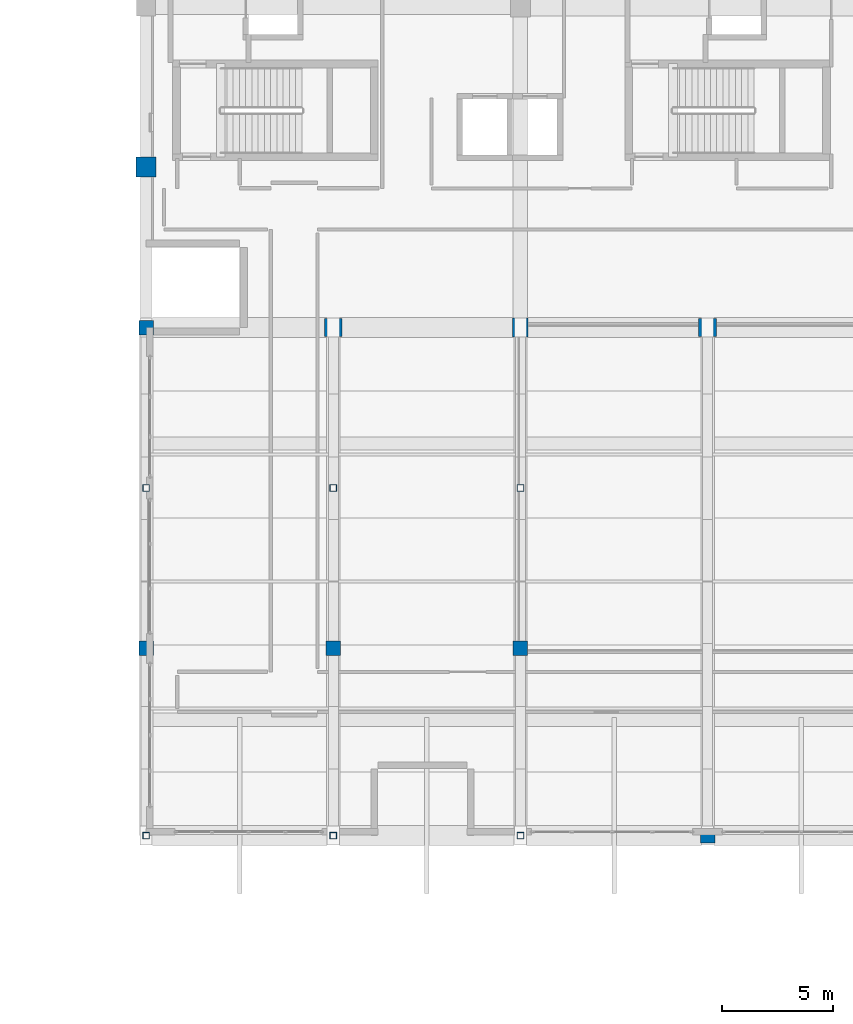
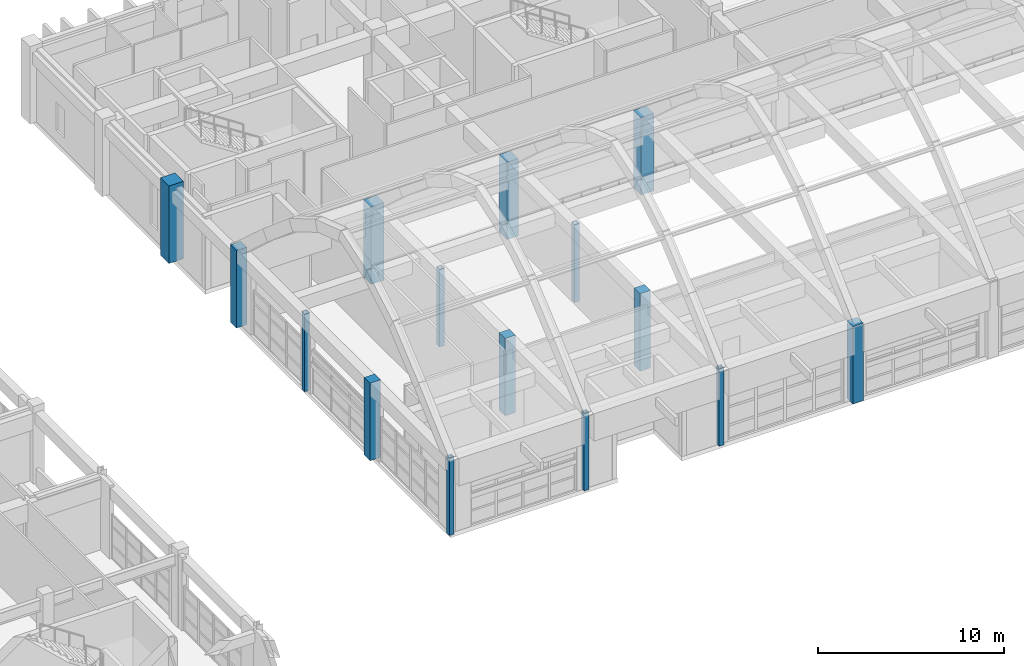
# One storey, part 6 of 103: 15 columns.
"""IFC4 building model written with IfcOpenShell, lengths in metres."""

from ifc_helpers import new_model, si_unit, direction, frame, origin, origin_2d, place, context, subcontext, project, spatial, rectangle, hollow_rectangle, extrude, material, material_profile, profile_set, type_object, element, save


model = new_model("IFC4")

# Units and contexts
model_context = context("Model", 3, precision=1e-05, world=origin(), true_north=direction((0.0, 1.0)))
body_context = subcontext(model_context, "Body", "Model", "MODEL_VIEW")
ifc_project = project(units=[si_unit("LENGTHUNIT", "METRE"), si_unit("AREAUNIT", "SQUARE_METRE"), si_unit("VOLUMEUNIT", "CUBIC_METRE"), si_unit("PLANEANGLEUNIT", "RADIAN"), si_unit("MASSUNIT", "GRAM", prefix="KILO")], contexts=[model_context])

# Site, building, storey
site_placement = place(None, origin())
site = spatial("IfcSite", under=ifc_project, at=site_placement, CompositionType="ELEMENT")
building_placement = place(site_placement, origin())
building = spatial("IfcBuilding", under=site, at=building_placement, Name="Quendrovan Civic Courthouse", CompositionType="ELEMENT")
storey_placement = place(building_placement, frame((0.0, 0.0, 15.300048828125)))
storey = spatial("IfcBuildingStorey", under=building, at=storey_placement, Name="L04", CompositionType="ELEMENT", Elevation=15.300048828125)

# Columns
ifc_material_1 = material(Name="Concrete C40/50", Category="concrete")
ifc_material_profile_1 = material_profile(ifc_material_1, rectangle(XDim=0.699951171875, YDim=0.85009765625, at=origin_2d()), Name="RC-COL-700x850")
ifc_profile_set_1 = profile_set([ifc_material_profile_1], Name="Concrete C40/50")
column_type_1 = type_object("IfcColumnType", Name="COL-RC-700x850", PredefinedType="COLUMN", material=ifc_profile_set_1)
column_1_placement = place(storey_placement, frame((50.39990234375, 87.60009765625, 0.0), z_axis=(0.0, 0.0, 1.0), x_axis=(1.0, 0.0, 0.0)))
element("IfcColumn", 1, at=column_1_placement, inside=storey, type_object=column_type_1, Name="L04 Column 7-M", PredefinedType="COLUMN", context=body_context, shape_type="SweptSolid", body=[
    extrude(rectangle(XDim=0.699951171875, YDim=0.85009765625, at=origin_2d()), origin(), (0.0, 0.0, 1.0), 5.099853515625),
])
ifc_material_2 = material(Name="Concrete C45/55", Category="concrete")
ifc_material_profile_2 = material_profile(ifc_material_2, rectangle(XDim=0.64990234375, YDim=0.64990234375, at=origin_2d()), Name="RC-COL-650x650")
ifc_profile_set_2 = profile_set([ifc_material_profile_2], Name="Concrete C45/55")
column_type_2 = type_object("IfcColumnType", Name="COL-RC650", PredefinedType="COLUMN", material=ifc_profile_set_2)
for number, where, z_axis, x_axis, name in (
    (2, (33.60009765625, 73.199951171875, 0.0), (0.0, 0.0, 1.0), (1.0, 0.0, 0.0), "L04 Column 5-K"),
    (3, (33.60009765625, 87.60009765625, 0.0), (0.0, 0.0, 1.0), (1.0, 0.0, 0.0), "L04 Column 5-M"),
    (4, (42.0, 73.199951171875, 0.0), (0.0, 0.0, 1.0), (1.0, 0.0, 0.0), "L04 Column 6-K"),
    (5, (50.39990234375, 73.199951171875, 0.0), (0.0, 0.0, 1.0), (1.0, 0.0, 0.0), "L04 Column 7-K"),
    (6, (58.800048828125, 64.800048828125, 0.0), (0.0, 0.0, 1.0), (1.0, 0.0, 0.0), "L04 Column 8-J"),
):
    element("IfcColumn", number, at=place(storey_placement, frame(where, z_axis=z_axis, x_axis=x_axis)), inside=storey, type_object=column_type_2, Name=name, PredefinedType="COLUMN", context=body_context, shape_type="SweptSolid", body=[
        extrude(rectangle(XDim=0.64990234375, YDim=0.64990234375, at=origin_2d()), origin(), (0.0, 0.0, 1.0), 5.099853515625),
    ])
ifc_material_profile_3 = material_profile(ifc_material_2, rectangle(XDim=0.800048828125, YDim=0.800048828125, at=origin_2d()), Name="RC-COL-800x800")
ifc_profile_set_3 = profile_set([ifc_material_profile_3], Name="Concrete C45/55")
column_type_3 = type_object("IfcColumnType", Name="COL-RC800", PredefinedType="COLUMN", material=ifc_profile_set_3)
for number, where, z_axis, x_axis, name in (
    (7, (42.0, 87.60009765625, 0.0), (0.0, 0.0, 1.0), (1.0, 0.0, 0.0), "L04 Column 6-M"),
    (8, (58.800048828125, 87.60009765625, 0.0), (0.0, 0.0, 1.0), (1.0, 0.0, 0.0), "L04 Column 8-M"),
):
    element("IfcColumn", number, at=place(storey_placement, frame(where, z_axis=z_axis, x_axis=x_axis)), inside=storey, type_object=column_type_3, Name=name, PredefinedType="COLUMN", context=body_context, shape_type="SweptSolid", body=[
        extrude(rectangle(XDim=0.800048828125, YDim=0.800048828125, at=origin_2d()), origin(), (0.0, 0.0, 1.0), 5.099853515625),
    ])
ifc_material_profile_4 = material_profile(ifc_material_2, rectangle(XDim=0.89990234375, YDim=0.89990234375, at=origin_2d()), Name="RC-COL-900x900")
ifc_profile_set_4 = profile_set([ifc_material_profile_4], Name="Concrete C45/55")
column_type_4 = type_object("IfcColumnType", Name="COL-RC900", PredefinedType="COLUMN", material=ifc_profile_set_4)
column_2_placement = place(storey_placement, frame((33.60009765625, 94.800048828125, 0.0), z_axis=(0.0, 0.0, 1.0), x_axis=(1.0, 0.0, 0.0)))
element("IfcColumn", 9, at=column_2_placement, inside=storey, type_object=column_type_4, Name="L04 Column 5-N", PredefinedType="COLUMN", context=body_context, shape_type="SweptSolid", body=[
    extrude(rectangle(XDim=0.89990234375, YDim=0.89990234375, at=origin_2d()), origin(), (0.0, 0.0, 1.0), 5.099853515625),
])
ifc_material_3 = material(Name="Steel ASTM A500 Grade C", Category="steel")
ifc_material_profile_5 = material_profile(ifc_material_3, hollow_rectangle(XDim=0.300048828125, YDim=0.300048828125, WallThickness=0.011962890625, at=origin_2d()), Name="HSS300x300x12")
ifc_profile_set_5 = profile_set([ifc_material_profile_5], Name="Steel ASTM A500 Grade C")
column_type_5 = type_object("IfcColumnType", Name="COL-STL-HSS300S", PredefinedType="COLUMN", material=ifc_profile_set_5)
for number, where, z_axis, x_axis, name in (
    (10, (33.60009765625, 64.800048828125, 0.0), (0.0, 0.0, 1.0), (1.0, 0.0, 0.0), "L04 Column 5-J"),
    (11, (33.60009765625, 80.39990234375, 0.0), (0.0, 0.0, 1.0), (1.0, 0.0, 0.0), "L04 Column 5-L"),
    (12, (42.0, 64.800048828125, 0.0), (0.0, 0.0, 1.0), (1.0, 0.0, 0.0), "L04 Column 6-J"),
    (13, (42.0, 80.39990234375, 0.0), (0.0, 0.0, 1.0), (1.0, 0.0, 0.0), "L04 Column 6-L"),
    (14, (50.39990234375, 64.800048828125, 0.0), (0.0, 0.0, 1.0), (1.0, 0.0, 0.0), "L04 Column 7-J"),
    (15, (50.39990234375, 80.39990234375, 0.0), (0.0, 0.0, 1.0), (1.0, 0.0, 0.0), "L04 Column 7-L"),
):
    element("IfcColumn", number, at=place(storey_placement, frame(where, z_axis=z_axis, x_axis=x_axis)), inside=storey, type_object=column_type_5, Name=name, PredefinedType="COLUMN", context=body_context, shape_type="SweptSolid", body=[
        extrude(hollow_rectangle(XDim=0.300048828125, YDim=0.300048828125, WallThickness=0.011962890625, at=origin_2d()), origin(), (0.0, 0.0, 1.0), 5.099853515625),
    ])

save(model, "model.ifc")
